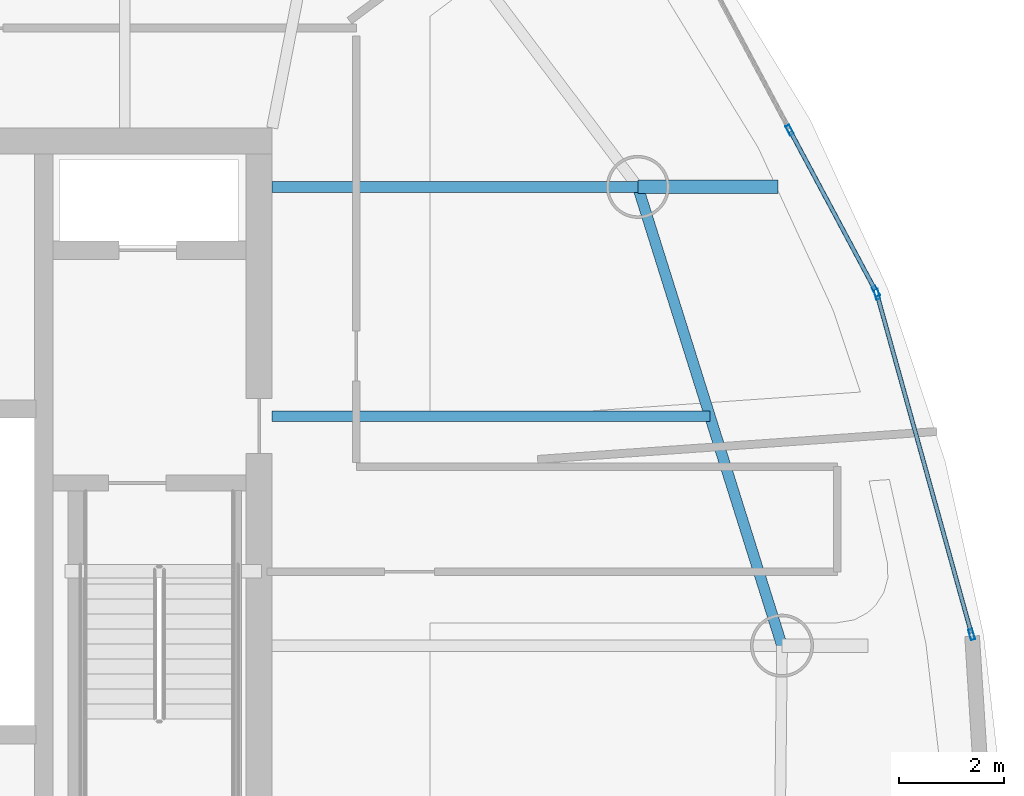
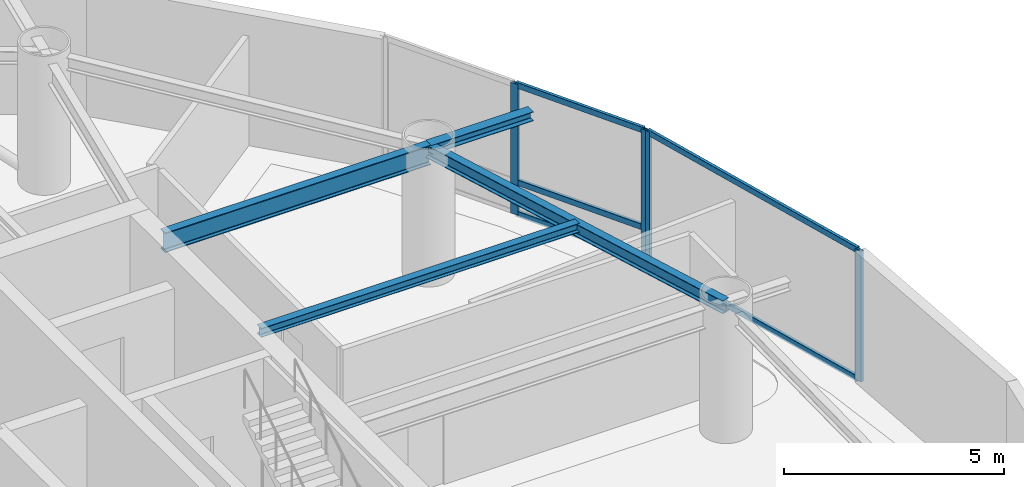
# One storey, part 9 of 22: 9 members, 4 beams, 2 elements without a shape of their own.
"""IFC4 building model written with IfcOpenShell, lengths in metres."""

from ifc_helpers import new_model, si_unit, direction, frame, origin, origin_2d, place, context, subcontext, project, spatial, hollow_rectangle, i_section, extrude, material, layer, layer_set, material_profile, profile_set, type_object, element, aggregate, save


model = new_model("IFC4")

# Units and contexts
model_context = context("Model", 3, precision=1e-05, world=origin(), true_north=direction((0.0, 1.0)))
body_context = subcontext(model_context, "Body", "Model", "MODEL_VIEW")
ifc_project = project(units=[si_unit("LENGTHUNIT", "METRE"), si_unit("AREAUNIT", "SQUARE_METRE"), si_unit("VOLUMEUNIT", "CUBIC_METRE"), si_unit("PLANEANGLEUNIT", "RADIAN"), si_unit("MASSUNIT", "GRAM", prefix="KILO")], contexts=[model_context])

# Site, building, storey
site_placement = place(None, origin())
site = spatial("IfcSite", under=ifc_project, at=site_placement, CompositionType="ELEMENT")
building_placement = place(site_placement, origin())
building = spatial("IfcBuilding", under=site, at=building_placement, Name="Bramvorn Convention Spire", CompositionType="ELEMENT")
storey_placement = place(building_placement, frame((0.0, 0.0, 190.449951171875)))
storey = spatial("IfcBuildingStorey", under=building, at=storey_placement, Name="L48", CompositionType="ELEMENT", Elevation=190.449951171875)

# Beams
ifc_material_1 = material(Name="Steel CSA G40.21 Grade 350 (350W)", Category="steel")
ifc_material_profile_1 = material_profile(ifc_material_1, i_section(OverallWidth=0.201904296875, OverallDepth=0.2470703125, WebThickness=0.00732421875, FlangeThickness=0.010986328125, FilletRadius=0.011962890625, at=origin_2d()))
ifc_profile_set_1 = profile_set([ifc_material_profile_1], Name="Steel CSA G40.21 Grade 350 (350W) - W250X49")
beam_type_1 = type_object("IfcBeamType", Name="BM-W250X49", PredefinedType="JOIST", material=ifc_profile_set_1)
beam_1_placement = place(storey_placement, frame((49.25, 27.960205078125, 3.49658203125), z_axis=(1.0, 0.0, 0.0), x_axis=(0.0, 1.0, 0.0)))
element("IfcBeam", 1, at=beam_1_placement, inside=storey, type_object=beam_type_1, Name="L48 composite floor joist 03", PredefinedType="JOIST", context=body_context, shape_type="SweptSolid", body=[
    extrude(i_section(OverallWidth=0.201904296875, OverallDepth=0.2470703125, WebThickness=0.00732421875, FlangeThickness=0.010986328125, FilletRadius=0.011962890625, at=origin_2d()), origin(), (0.0, 0.0, 1.0), 8.33251953125),
])
ifc_material_profile_2 = material_profile(ifc_material_1, i_section(OverallWidth=0.25390625, OverallDepth=0.2529296875, WebThickness=0.008544921875, FlangeThickness=0.01416015625, FilletRadius=0.011962890625, at=origin_2d()))
ifc_profile_set_2 = profile_set([ifc_material_profile_2], Name="Steel CSA G40.21 Grade 350 (350W) - W250X73")
beam_type_2 = type_object("IfcBeamType", Name="BM-W250X73", PredefinedType="BEAM", material=ifc_profile_set_2)
beam_2_placement = place(storey_placement, frame((56.21044921875, 32.327392578125, 3.49365234375), z_axis=(1.0, 0.0, 0.0), x_axis=(0.0, 1.0, 0.0)))
element("IfcBeam", 2, at=beam_2_placement, inside=storey, type_object=beam_type_2, Name="L48 slab-edge cantilever tip beam MC04", PredefinedType="BEAM", context=body_context, shape_type="SweptSolid", body=[
    extrude(i_section(OverallWidth=0.25390625, OverallDepth=0.2529296875, WebThickness=0.008544921875, FlangeThickness=0.01416015625, FilletRadius=0.011962890625, at=origin_2d()), origin(), (0.0, 0.0, 1.0), 2.671630859375),
])
ifc_material_profile_3 = material_profile(ifc_material_1, i_section(OverallWidth=0.205078125, OverallDepth=0.35400390625, WebThickness=0.009521484375, FlangeThickness=0.016845703125, FilletRadius=0.014892578125, at=origin_2d()))
ifc_profile_set_3 = profile_set([ifc_material_profile_3], Name="Steel CSA G40.21 Grade 350 (350W) - W360X79")
beam_type_3 = type_object("IfcBeamType", Name="BM-W360X79", PredefinedType="JOIST", material=ifc_profile_set_3)
beam_3_placement = place(storey_placement, frame((58.95458984375, 23.593505859375, 3.443115234375), z_axis=(-0.299747542929, 0.954018558786, 0.0), x_axis=(-0.954018558786, -0.299747542929, 0.0)))
element("IfcBeam", 3, at=beam_3_placement, inside=storey, type_object=beam_type_3, Name="L48 mega-column ring beam 03", PredefinedType="JOIST", context=body_context, shape_type="SweptSolid", body=[
    extrude(i_section(OverallWidth=0.205078125, OverallDepth=0.35400390625, WebThickness=0.009521484375, FlangeThickness=0.016845703125, FilletRadius=0.014892578125, at=origin_2d()), origin(), (0.0, 0.0, 1.0), 9.15478515625),
])
ifc_material_profile_4 = material_profile(ifc_material_1, i_section(OverallWidth=0.2119140625, OverallDepth=0.5439453125, WebThickness=0.01318359375, FlangeThickness=0.021240234375, FilletRadius=0.01904296875, at=origin_2d()))
ifc_profile_set_4 = profile_set([ifc_material_profile_4], Name="Steel CSA G40.21 Grade 350 (350W) - W530X123")
beam_type_4 = type_object("IfcBeamType", Name="BM-W530X123", PredefinedType="BEAM", material=ifc_profile_set_4)
beam_4_placement = place(storey_placement, frame((49.25, 32.327392578125, 3.34814453125), z_axis=(1.0, 0.0, 0.0), x_axis=(0.0, 1.0, 0.0)))
element("IfcBeam", 4, at=beam_4_placement, inside=storey, type_object=beam_type_4, Name="L48 radial floor girder MC04", PredefinedType="BEAM", context=body_context, shape_type="SweptSolid", body=[
    extrude(i_section(OverallWidth=0.2119140625, OverallDepth=0.5439453125, WebThickness=0.01318359375, FlangeThickness=0.021240234375, FilletRadius=0.01904296875, at=origin_2d()), origin(), (0.0, 0.0, 1.0), 6.96044921875),
])

# Curtain wall, members
ifc_material_2 = material(Name="Anodised Bronze Unitised Curtain Wall", Category="aluminium")
ifc_layer = layer(ifc_material_2, 0.179931640625)
ifc_layer_set = layer_set([ifc_layer], Name="Anodised Bronze Unitised Curtain Wall - CW-OFF-FRIT")
curtain_wall_type = type_object("IfcCurtainWallType", Name="CW-OFF-FRIT", PredefinedType="USERDEFINED", material=ifc_layer_set)
curtain_wall_1_placement = place(storey_placement, origin())
curtain_wall_1 = element("IfcCurtainWall", 5, at=curtain_wall_1_placement, inside=storey, type_object=curtain_wall_type, Name="L48 fritted glass curtain wall 04", ObjectType="UNITISED CURTAIN WALL", PredefinedType="USERDEFINED")
ifc_material_3 = material(Name="Anodised Bronze Aluminium 6063-T6", Category="aluminium")
ifc_material_profile_5 = material_profile(ifc_material_3, hollow_rectangle(XDim=0.080078125, YDim=0.199951171875, WallThickness=0.00390625, InnerFilletRadius=0.0009765625, OuterFilletRadius=0.00390625, at=origin_2d()))
ifc_profile_set_5 = profile_set([ifc_material_profile_5], Name="Anodised Bronze Aluminium 6063-T6 - CWM80X200")
member_type_1 = type_object("IfcMemberType", Name="CW-MUL-180", PredefinedType="MULLION", material=ifc_profile_set_5)
member_1_placement = place(storey_placement, frame((60.762939453125, 30.284423828125, 0.0), z_axis=(0.0, 0.0, 1.0), x_axis=(0.963412885797, 0.268021662336, 0.0)))
member_1 = element("IfcMember", 6, at=member_1_placement, type_object=member_type_1, Name="CW3 mullion 1", PredefinedType="MULLION", context=body_context, shape_type="SweptSolid", body=[
    extrude(hollow_rectangle(XDim=0.080078125, YDim=0.199951171875, WallThickness=0.00390625, InnerFilletRadius=0.0009765625, OuterFilletRadius=0.00390625, at=origin_2d()), origin(), (0.0, 0.0, 1.0), 3.6201171875),
])
member_2_placement = place(storey_placement, frame((62.5654296875, 23.805908203125, 0.0), z_axis=(0.0, 0.0, 1.0), x_axis=(0.963412885797, 0.268021662336, 0.0)))
member_2 = element("IfcMember", 7, at=member_2_placement, type_object=member_type_1, Name="CW3 mullion 2", PredefinedType="MULLION", context=body_context, shape_type="SweptSolid", body=[
    extrude(hollow_rectangle(XDim=0.080078125, YDim=0.199951171875, WallThickness=0.00390625, InnerFilletRadius=0.0009765625, OuterFilletRadius=0.00390625, at=origin_2d()), origin(), (0.0, 0.0, 1.0), 3.6201171875),
])

curtain_wall_2_placement = place(storey_placement, origin())
curtain_wall_2 = element("IfcCurtainWall", 8, at=curtain_wall_2_placement, inside=storey, type_object=curtain_wall_type, Name="L48 fritted glass curtain wall 05", ObjectType="UNITISED CURTAIN WALL", PredefinedType="USERDEFINED")
member_3_placement = place(storey_placement, frame((59.101806640625, 33.408447265625, 0.0), z_axis=(0.0, 0.0, 1.0), x_axis=(0.882049814, 0.471156158426, 0.0)))
member_3 = element("IfcMember", 9, at=member_3_placement, type_object=member_type_1, Name="CW3 mullion 2", PredefinedType="MULLION", context=body_context, shape_type="SweptSolid", body=[
    extrude(hollow_rectangle(XDim=0.080078125, YDim=0.199951171875, WallThickness=0.00390625, InnerFilletRadius=0.0009765625, OuterFilletRadius=0.00390625, at=origin_2d()), origin(), (0.0, 0.0, 1.0), 3.6201171875),
])
member_4_placement = place(storey_placement, frame((60.740966796875, 30.33984375, 0.0), z_axis=(0.0, 0.0, 1.0), x_axis=(0.882049814, 0.471156158426, 0.0)))
member_4 = element("IfcMember", 10, at=member_4_placement, type_object=member_type_1, Name="CW3 mullion 3", PredefinedType="MULLION", context=body_context, shape_type="SweptSolid", body=[
    extrude(hollow_rectangle(XDim=0.080078125, YDim=0.199951171875, WallThickness=0.00390625, InnerFilletRadius=0.0009765625, OuterFilletRadius=0.00390625, at=origin_2d()), origin(), (0.0, 0.0, 1.0), 3.6201171875),
])

# Member
ifc_material_profile_6 = material_profile(ifc_material_3, hollow_rectangle(XDim=0.080078125, YDim=0.159912109375, WallThickness=0.00390625, InnerFilletRadius=0.0009765625, OuterFilletRadius=0.00390625, at=origin_2d()))
ifc_profile_set_6 = profile_set([ifc_material_profile_6], Name="Anodised Bronze Aluminium 6063-T6 - CWT80X160")
member_type_2 = type_object("IfcMemberType", Name="CW-TRN-150", PredefinedType="USERDEFINED", material=ifc_profile_set_6)
member_5_placement = place(storey_placement, frame((60.77099609375, 30.255615234375, 0.030029296875), z_axis=(0.268042498558, -0.963407088913, 0.0), x_axis=(0.963407088913, 0.268042498558, 0.0)))
member_5 = element("IfcMember", 11, at=member_5_placement, type_object=member_type_2, Name="CW3 transom 1.1", ObjectType="TRANSOM", PredefinedType="USERDEFINED", context=body_context, shape_type="SweptSolid", body=[
    extrude(hollow_rectangle(XDim=0.080078125, YDim=0.159912109375, WallThickness=0.00390625, InnerFilletRadius=0.0009765625, OuterFilletRadius=0.00390625, at=origin_2d()), origin(), (0.0, 0.0, 1.0), 6.66455078125),
])

member_6_placement = place(storey_placement, frame((60.77099609375, 30.255615234375, 3.590087890625), z_axis=(0.268042498558, -0.963407088913, 0.0), x_axis=(0.963407088913, 0.268042498558, 0.0)))
member_6 = element("IfcMember", 12, at=member_6_placement, type_object=member_type_2, Name="CW3 transom 1.2", ObjectType="TRANSOM", PredefinedType="USERDEFINED", context=body_context, shape_type="SweptSolid", body=[
    extrude(hollow_rectangle(XDim=0.080078125, YDim=0.159912109375, WallThickness=0.00390625, InnerFilletRadius=0.0009765625, OuterFilletRadius=0.00390625, at=origin_2d()), origin(), (0.0, 0.0, 1.0), 6.66455078125),
])

aggregate(curtain_wall_1, [member_1, member_2, member_5, member_6])

member_7_placement = place(storey_placement, frame((59.115966796875, 33.3818359375, 0.030029296875), z_axis=(0.471158917482, -0.882048340215, 0.0), x_axis=(0.882048340215, 0.471158917482, 0.0)))
member_7 = element("IfcMember", 13, at=member_7_placement, type_object=member_type_2, Name="CW3 transom 2.1", ObjectType="TRANSOM", PredefinedType="USERDEFINED", context=body_context, shape_type="SweptSolid", body=[
    extrude(hollow_rectangle(XDim=0.080078125, YDim=0.159912109375, WallThickness=0.00390625, InnerFilletRadius=0.0009765625, OuterFilletRadius=0.00390625, at=origin_2d()), origin(), (0.0, 0.0, 1.0), 3.4189453125),
])

member_8_placement = place(storey_placement, frame((59.115966796875, 33.3818359375, 0.900146484375), z_axis=(0.471158917482, -0.882048340215, 0.0), x_axis=(0.882048340215, 0.471158917482, 0.0)))
member_8 = element("IfcMember", 14, at=member_8_placement, type_object=member_type_2, Name="CW3 transom 2.2", ObjectType="TRANSOM", PredefinedType="USERDEFINED", context=body_context, shape_type="SweptSolid", body=[
    extrude(hollow_rectangle(XDim=0.080078125, YDim=0.159912109375, WallThickness=0.00390625, InnerFilletRadius=0.0009765625, OuterFilletRadius=0.00390625, at=origin_2d()), origin(), (0.0, 0.0, 1.0), 3.4189453125),
])

member_9_placement = place(storey_placement, frame((59.115966796875, 33.3818359375, 3.590087890625), z_axis=(0.471158917482, -0.882048340215, 0.0), x_axis=(0.882048340215, 0.471158917482, 0.0)))
member_9 = element("IfcMember", 15, at=member_9_placement, type_object=member_type_2, Name="CW3 transom 2.3", ObjectType="TRANSOM", PredefinedType="USERDEFINED", context=body_context, shape_type="SweptSolid", body=[
    extrude(hollow_rectangle(XDim=0.080078125, YDim=0.159912109375, WallThickness=0.00390625, InnerFilletRadius=0.0009765625, OuterFilletRadius=0.00390625, at=origin_2d()), origin(), (0.0, 0.0, 1.0), 3.4189453125),
])

aggregate(curtain_wall_2, [member_3, member_4, member_7, member_8, member_9])

save(model, "model.ifc")
